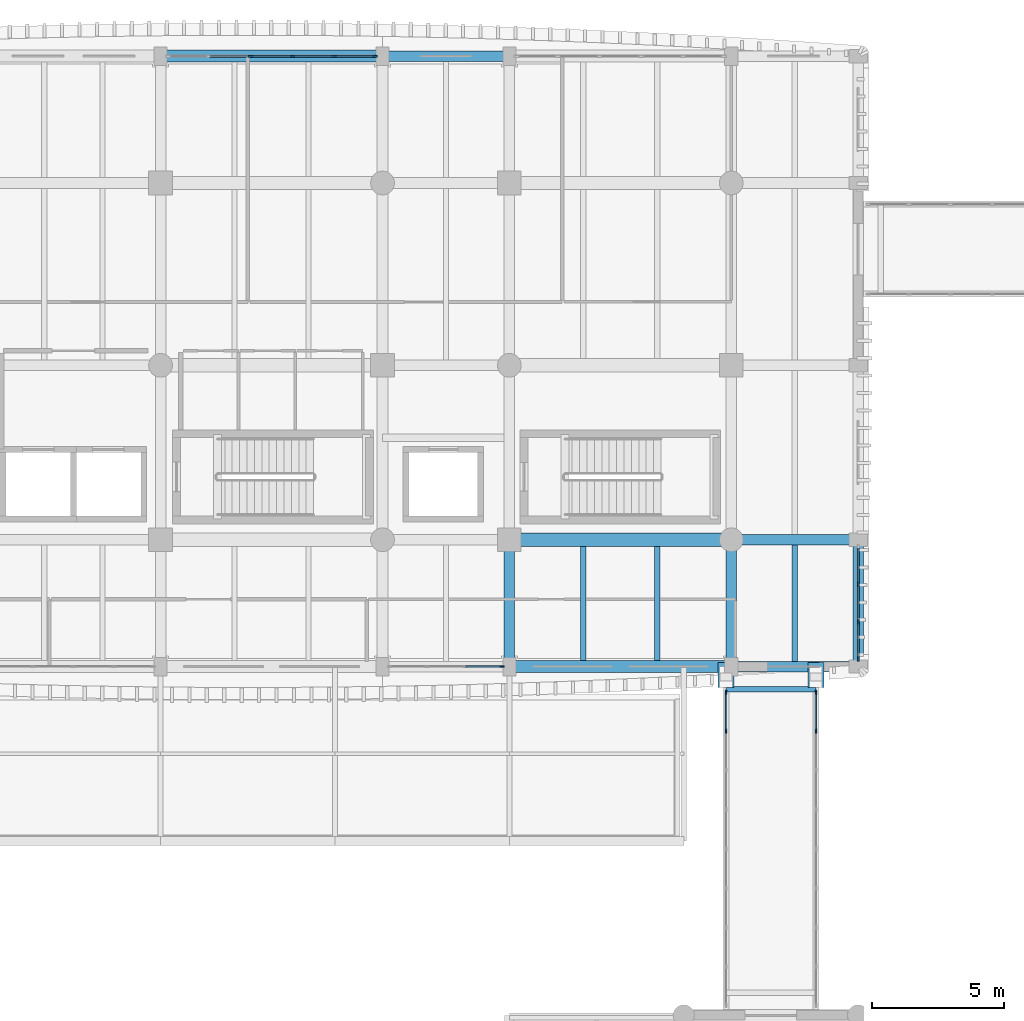
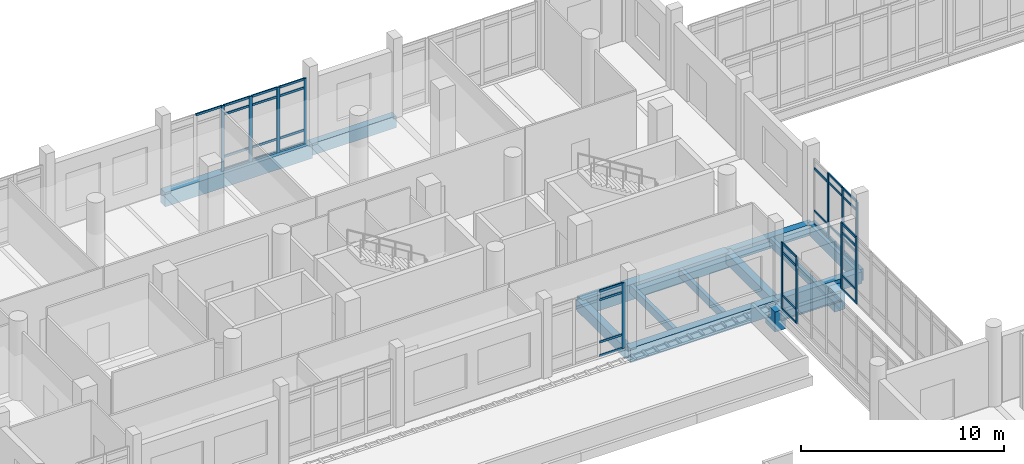
# One storey, part 33 of 125: 48 members, 15 beams, 5 elements without a shape of their own.
"""IFC4 building model written with IfcOpenShell, lengths in metres."""

from ifc_helpers import new_model, si_unit, direction, frame, origin, origin_2d, place, context, subcontext, project, spatial, rectangle, i_section, extrude, material, material_profile, profile_set, type_object, element, aggregate, save


model = new_model("IFC4")

# Units and contexts
model_context = context("Model", 3, precision=1e-05, world=origin(), true_north=direction((0.0, 1.0)))
body_context = subcontext(model_context, "Body", "Model", "MODEL_VIEW")
ifc_project = project(units=[si_unit("LENGTHUNIT", "METRE"), si_unit("AREAUNIT", "SQUARE_METRE"), si_unit("VOLUMEUNIT", "CUBIC_METRE"), si_unit("PLANEANGLEUNIT", "RADIAN"), si_unit("MASSUNIT", "GRAM", prefix="KILO")], contexts=[model_context])

# Site, building, storey
site_placement = place(None, origin())
site = spatial("IfcSite", under=ifc_project, at=site_placement, CompositionType="ELEMENT")
building_placement = place(site_placement, origin())
building = spatial("IfcBuilding", under=site, at=building_placement, Name="Dornvale Research Institute", CompositionType="ELEMENT")
storey_placement = place(building_placement, frame((0.0, 0.0, 5.39990234375)))
storey = spatial("IfcBuildingStorey", under=building, at=storey_placement, Name="L01", CompositionType="ELEMENT", Elevation=5.39990234375)

# Beams
ifc_material_1 = material(Name="Concrete f'c 45 MPa (C35/45)", Category="concrete")
ifc_material_profile_1 = material_profile(ifc_material_1, rectangle(XDim=0.39990234375, YDim=0.64990234375, at=origin_2d()), Name="RC 400x650")
ifc_profile_set_1 = profile_set([ifc_material_profile_1], Name="Concrete f'c 45 MPa (C35/45)")
beam_type_1 = type_object("IfcBeamType", Name="Beam_RC400x650_Floor", PredefinedType="BEAM", material=ifc_profile_set_1)
for number, where, z_axis, x_axis, name in (
    (1, (41.39990234375, 103.800048828125, -0.324951171875), (1.0, 0.0, 0.0), (0.0, 1.0, 0.0), "L01 primary girder #300"),
    (2, (33.0, 99.0, -0.324951171875), (0.0, 1.0, 0.0), (-1.0, 0.0, 0.0), "L01 transverse girder #342"),
    (3, (41.39990234375, 99.0, -0.324951171875), (0.0, 1.0, 0.0), (-1.0, 0.0, 0.0), "L01 transverse girder #346"),
):
    element("IfcBeam", number, at=place(storey_placement, frame(where, z_axis=z_axis, x_axis=x_axis)), inside=storey, type_object=beam_type_1, Name=name, PredefinedType="BEAM", context=body_context, shape_type="SweptSolid", body=[
        extrude(rectangle(XDim=0.39990234375, YDim=0.64990234375, at=origin_2d()), origin(), (0.0, 0.0, 1.0), 4.800048828125),
    ])
ifc_material_2 = material(Name="Concrete f'c 45 MPa (C35/45)", Category="concrete")
ifc_material_profile_2 = material_profile(ifc_material_2, rectangle(XDim=0.5, YDim=0.949951171875, at=origin_2d()), Name="RC 500x950")
ifc_profile_set_2 = profile_set([ifc_material_profile_2], Name="Concrete f'c 45 MPa (C35/45)")
beam_type_2 = type_object("IfcBeamType", Name="Beam_RC500x950_Girder", PredefinedType="BEAM", material=ifc_profile_set_2)
beam_1_placement = place(storey_placement, frame((33.0, 103.800048828125, -0.474853515625), z_axis=(1.0, 0.0, 0.0), x_axis=(0.0, 1.0, 0.0)))
element("IfcBeam", 4, at=beam_1_placement, inside=storey, type_object=beam_type_2, Name="L01 primary girder #299", PredefinedType="BEAM", context=body_context, shape_type="SweptSolid", body=[
    extrude(rectangle(XDim=0.5, YDim=0.949951171875, at=origin_2d()), origin(), (0.0, 0.0, 1.0), 8.39990234375),
])
ifc_material_3 = material(Name="Steel ASTM A992 Grade 50", Category="steel")
ifc_material_profile_3 = material_profile(ifc_material_3, i_section(OverallWidth=0.2099609375, OverallDepth=0.535888671875, WebThickness=0.010986328125, FlangeThickness=0.017333984375, at=origin_2d()), Name="W21X68")
ifc_profile_set_3 = profile_set([ifc_material_profile_3], Name="Steel ASTM A992 Grade 50")
beam_type_3 = type_object("IfcBeamType", Name="Beam_Steel_W21X68", PredefinedType="BEAM", material=ifc_profile_set_3)
beam_2_placement = place(storey_placement, frame((41.199951171875, 98.14990234375, -0.48779296875), z_axis=(1.0, 0.0, 0.0), x_axis=(0.0, 1.0, 0.0)))
element("IfcBeam", 5, at=beam_2_placement, inside=storey, type_object=beam_type_3, Name="L01 BR-3 north cross beam #2020", PredefinedType="BEAM", context=body_context, shape_type="SweptSolid", body=[
    extrude(i_section(OverallWidth=0.2099609375, OverallDepth=0.535888671875, WebThickness=0.010986328125, FlangeThickness=0.017333984375, at=origin_2d()), origin(), (0.0, 0.0, 1.0), 3.400146484375),
])
ifc_material_4 = material(Name="Concrete f'c 45 MPa (C35/45)", Category="concrete")
ifc_material_profile_4 = material_profile(ifc_material_4, rectangle(XDim=0.199951171875, YDim=0.485107421875, at=origin_2d()), Name="RC 200x485")
ifc_profile_set_4 = profile_set([ifc_material_profile_4], Name="Concrete f'c 45 MPa (C35/45)")
beam_type_4 = type_object("IfcBeamType", Name="Joist_RC200x485_Rib", PredefinedType="JOIST", material=ifc_profile_set_4)
for number, where, z_axis, x_axis, name in (
    (6, (35.800048828125, 99.22509765625, -0.242431640625), (0.0, 1.0, 0.0), (-1.0, 0.0, 0.0), "L01 laboratory waffle joist #166"),
    (7, (38.60009765625, 99.22509765625, -0.242431640625), (0.0, 1.0, 0.0), (-1.0, 0.0, 0.0), "L01 laboratory waffle joist #167"),
):
    element("IfcBeam", number, at=place(storey_placement, frame(where, z_axis=z_axis, x_axis=x_axis)), inside=storey, type_object=beam_type_4, Name=name, PredefinedType="JOIST", context=body_context, shape_type="SweptSolid", body=[
        extrude(rectangle(XDim=0.199951171875, YDim=0.485107421875, at=origin_2d()), origin(), (0.0, 0.0, 1.0), 4.324951171875),
    ])
beam_3_placement = place(storey_placement, frame((43.800048828125, 99.199951171875, -0.242431640625), z_axis=(0.0, 1.0, 0.0), x_axis=(-1.0, 0.0, 0.0)))
element("IfcBeam", 8, at=beam_3_placement, inside=storey, type_object=beam_type_4, Name="L01 laboratory waffle joist #172", PredefinedType="JOIST", context=body_context, shape_type="SweptSolid", body=[
    extrude(rectangle(XDim=0.199951171875, YDim=0.485107421875, at=origin_2d()), origin(), (0.0, 0.0, 1.0), 4.400146484375),
])

# Curtain wall, members
ifc_material_5 = material(Name="Low-E Argon Double Insulating Glazing Unit", Category="glass")
curtain_wall_type_1 = type_object("IfcCurtainWallType", Name="UnitisedCurtainWall_V2_11900x4000", PredefinedType="USERDEFINED", material=ifc_material_5)
curtain_wall_1_placement = place(storey_placement, origin())
curtain_wall_1 = element("IfcCurtainWall", 9, at=curtain_wall_1_placement, inside=storey, type_object=curtain_wall_type_1, Name="L01 V2 unitised curtain wall CW-40 #207", ObjectType="UNITISED CURTAIN WALL", PredefinedType="USERDEFINED")
ifc_material_6 = material(Name="Anodized Aluminum AA 6063-T6 Thermally Broken Frame", Category="aluminium")
ifc_material_profile_5 = material_profile(ifc_material_6, rectangle(XDim=0.06494140625, YDim=0.1650390625, at=origin_2d()), Name="ALU MULLION 65x165")
ifc_profile_set_5 = profile_set([ifc_material_profile_5], Name="Anodized Aluminum AA 6063-T6 Thermally Broken Frame")
member_type_1 = type_object("IfcMemberType", Name="Mullion_Atrium_65x165", PredefinedType="MULLION", material=ifc_profile_set_5)
member_1_placement = place(storey_placement, frame((41.199951171875, 96.5625, 0.0), z_axis=(0.0, 0.0, 1.0), x_axis=(-1.0, 0.0, 0.0)))
member_1 = element("IfcMember", 10, at=member_1_placement, type_object=member_type_1, Name="CW-40 mullion 8", PredefinedType="MULLION", context=body_context, shape_type="SweptSolid", body=[
    extrude(rectangle(XDim=0.06494140625, YDim=0.1650390625, at=origin_2d()), origin(), (0.0, 0.0, 1.0), 4.0),
])
member_2_placement = place(storey_placement, frame((41.199951171875, 98.017578125, 0.0), z_axis=(0.0, 0.0, 1.0), x_axis=(-1.0, 0.0, 0.0)))
member_2 = element("IfcMember", 11, at=member_2_placement, type_object=member_type_1, Name="CW-40 mullion 9", PredefinedType="MULLION", context=body_context, shape_type="SweptSolid", body=[
    extrude(rectangle(XDim=0.06494140625, YDim=0.1650390625, at=origin_2d()), origin(), (0.0, 0.0, 1.0), 4.0),
])

curtain_wall_2_placement = place(storey_placement, origin())
curtain_wall_2 = element("IfcCurtainWall", 12, at=curtain_wall_2_placement, inside=storey, type_object=curtain_wall_type_1, Name="L01 V2 unitised curtain wall CW-40 #208", ObjectType="UNITISED CURTAIN WALL", PredefinedType="USERDEFINED")
member_3_placement = place(storey_placement, frame((44.60009765625, 98.017578125, 0.0), z_axis=(0.0, 0.0, 1.0), x_axis=(1.0, 0.0, 0.0)))
member_3 = element("IfcMember", 13, at=member_3_placement, type_object=member_type_1, Name="CW-40 mullion 1", PredefinedType="MULLION", context=body_context, shape_type="SweptSolid", body=[
    extrude(rectangle(XDim=0.06494140625, YDim=0.1650390625, at=origin_2d()), origin(), (0.0, 0.0, 1.0), 4.0),
])
member_4_placement = place(storey_placement, frame((44.60009765625, 96.5625, 0.0), z_axis=(0.0, 0.0, 1.0), x_axis=(1.0, 0.0, 0.0)))
member_4 = element("IfcMember", 14, at=member_4_placement, type_object=member_type_1, Name="CW-40 mullion 2", PredefinedType="MULLION", context=body_context, shape_type="SweptSolid", body=[
    extrude(rectangle(XDim=0.06494140625, YDim=0.1650390625, at=origin_2d()), origin(), (0.0, 0.0, 1.0), 4.0),
])

ifc_material_7 = material(Name="Low-E Argon Double Insulating Glazing Unit", Category="glass")
curtain_wall_type_2 = type_object("IfcCurtainWallType", Name="UnitisedCurtainWall_V5_7900x3950", PredefinedType="USERDEFINED", material=ifc_material_7)
curtain_wall_3_placement = place(storey_placement, origin())
curtain_wall_3 = element("IfcCurtainWall", 15, at=curtain_wall_3_placement, inside=storey, type_object=curtain_wall_type_2, Name="L01 V5 unitised curtain wall CW-24 #134", ObjectType="UNITISED CURTAIN WALL", PredefinedType="USERDEFINED")
ifc_material_8 = material(Name="Anodized Aluminum AA 6063-T6 Thermally Broken Frame", Category="aluminium")
ifc_material_profile_6 = material_profile(ifc_material_8, rectangle(XDim=0.06494140625, YDim=0.179931640625, at=origin_2d()), Name="ALU MULLION 65x180")
ifc_profile_set_6 = profile_set([ifc_material_profile_6], Name="Anodized Aluminum AA 6063-T6 Thermally Broken Frame")
member_type_2 = type_object("IfcMemberType", Name="Mullion_CW_65x180", PredefinedType="MULLION", material=ifc_profile_set_6)
member_5_placement = place(storey_placement, frame((23.2099609375, 122.10009765625, 0.0), z_axis=(0.0, 0.0, 1.0), x_axis=(0.0, 1.0, 0.0)))
member_5 = element("IfcMember", 16, at=member_5_placement, type_object=member_type_2, Name="CW-24 mullion 3", PredefinedType="MULLION", context=body_context, shape_type="SweptSolid", body=[
    extrude(rectangle(XDim=0.06494140625, YDim=0.179931640625, at=origin_2d()), origin(), (0.0, 0.0, 1.0), 3.9501953125),
])
member_6_placement = place(storey_placement, frame((24.7900390625, 122.10009765625, 0.0), z_axis=(0.0, 0.0, 1.0), x_axis=(0.0, 1.0, 0.0)))
member_6 = element("IfcMember", 17, at=member_6_placement, type_object=member_type_2, Name="CW-24 mullion 4", PredefinedType="MULLION", context=body_context, shape_type="SweptSolid", body=[
    extrude(rectangle(XDim=0.06494140625, YDim=0.179931640625, at=origin_2d()), origin(), (0.0, 0.0, 1.0), 3.9501953125),
])
member_7_placement = place(storey_placement, frame((26.3701171875, 122.10009765625, 0.0), z_axis=(0.0, 0.0, 1.0), x_axis=(0.0, 1.0, 0.0)))
member_7 = element("IfcMember", 18, at=member_7_placement, type_object=member_type_2, Name="CW-24 mullion 5", PredefinedType="MULLION", context=body_context, shape_type="SweptSolid", body=[
    extrude(rectangle(XDim=0.06494140625, YDim=0.179931640625, at=origin_2d()), origin(), (0.0, 0.0, 1.0), 3.9501953125),
])
member_8_placement = place(storey_placement, frame((27.91748046875, 122.10009765625, 0.0), z_axis=(0.0, 0.0, 1.0), x_axis=(0.0, 1.0, 0.0)))
member_8 = element("IfcMember", 19, at=member_8_placement, type_object=member_type_2, Name="CW-24 mullion 6", PredefinedType="MULLION", context=body_context, shape_type="SweptSolid", body=[
    extrude(rectangle(XDim=0.06494140625, YDim=0.179931640625, at=origin_2d()), origin(), (0.0, 0.0, 1.0), 3.9501953125),
])

ifc_material_9 = material(Name="Low-E Argon Double Insulating Glazing Unit", Category="glass")
curtain_wall_type_3 = type_object("IfcCurtainWallType", Name="UnitisedCurtainWall_V5_4300x3950", PredefinedType="USERDEFINED", material=ifc_material_9)
curtain_wall_4_placement = place(storey_placement, origin())
curtain_wall_4 = element("IfcCurtainWall", 20, at=curtain_wall_4_placement, inside=storey, type_object=curtain_wall_type_3, Name="L01 V5 unitised curtain wall CW-25 #136", ObjectType="UNITISED CURTAIN WALL", PredefinedType="USERDEFINED")
member_9_placement = place(storey_placement, frame((46.199951171875, 102.11669921875, 0.0), z_axis=(0.0, 0.0, 1.0), x_axis=(1.0, 0.0, 0.0)))
member_9 = element("IfcMember", 21, at=member_9_placement, type_object=member_type_2, Name="CW-25 mullion 2", PredefinedType="MULLION", context=body_context, shape_type="SweptSolid", body=[
    extrude(rectangle(XDim=0.06494140625, YDim=0.179931640625, at=origin_2d()), origin(), (0.0, 0.0, 1.0), 3.9501953125),
])
member_10_placement = place(storey_placement, frame((46.199951171875, 100.683349609375, 0.0), z_axis=(0.0, 0.0, 1.0), x_axis=(1.0, 0.0, 0.0)))
member_10 = element("IfcMember", 22, at=member_10_placement, type_object=member_type_2, Name="CW-25 mullion 3", PredefinedType="MULLION", context=body_context, shape_type="SweptSolid", body=[
    extrude(rectangle(XDim=0.06494140625, YDim=0.179931640625, at=origin_2d()), origin(), (0.0, 0.0, 1.0), 3.9501953125),
])
member_11_placement = place(storey_placement, frame((46.199951171875, 99.282470703125, 0.0), z_axis=(0.0, 0.0, 1.0), x_axis=(1.0, 0.0, 0.0)))
member_11 = element("IfcMember", 23, at=member_11_placement, type_object=member_type_2, Name="CW-25 mullion 4", PredefinedType="MULLION", context=body_context, shape_type="SweptSolid", body=[
    extrude(rectangle(XDim=0.06494140625, YDim=0.179931640625, at=origin_2d()), origin(), (0.0, 0.0, 1.0), 3.9501953125),
])

# Curtain wall, member
curtain_wall_5_placement = place(storey_placement, origin())
curtain_wall_5 = element("IfcCurtainWall", 24, at=curtain_wall_5_placement, inside=storey, type_object=curtain_wall_type_3, Name="L01 V5 unitised curtain wall CW-25 #137", ObjectType="UNITISED CURTAIN WALL", PredefinedType="USERDEFINED")
member_12_placement = place(storey_placement, frame((32.717529296875, 99.0, 0.0), z_axis=(0.0, 0.0, 1.0), x_axis=(0.0, -1.0, 0.0)))
member_12 = element("IfcMember", 25, at=member_12_placement, type_object=member_type_2, Name="CW-25 mullion 1", PredefinedType="MULLION", context=body_context, shape_type="SweptSolid", body=[
    extrude(rectangle(XDim=0.06494140625, YDim=0.179931640625, at=origin_2d()), origin(), (0.0, 0.0, 1.0), 3.9501953125),
])

# Beams
ifc_material_10 = material(Name="Concrete f'c 45 MPa (C35/45)", Category="concrete")
ifc_material_profile_7 = material_profile(ifc_material_10, rectangle(XDim=0.39990234375, YDim=0.699951171875, at=origin_2d()), Name="RC 400x700")
ifc_profile_set_7 = profile_set([ifc_material_profile_7], Name="Concrete f'c 45 MPa (C35/45)")
beam_type_5 = type_object("IfcBeamType", Name="Spandrel_RC400x700_Ext", PredefinedType="SPANDREL", material=ifc_profile_set_7)
for number, where, z_axis, x_axis, name in (
    (26, (41.39990234375, 99.0, -0.349853515625), (1.0, 0.0, 0.0), (0.0, 1.0, 0.0), "L01 perimeter spandrel #293"),
    (27, (28.199951171875, 122.10009765625, -0.349853515625), (1.0, 0.0, 0.0), (0.0, 1.0, 0.0), "L01 perimeter spandrel #319"),
    (28, (46.199951171875, 99.0, -0.349853515625), (0.0, 1.0, 0.0), (-1.0, 0.0, 0.0), "L01 perimeter spandrel #350"),
):
    element("IfcBeam", number, at=place(storey_placement, frame(where, z_axis=z_axis, x_axis=x_axis)), inside=storey, type_object=beam_type_5, Name=name, PredefinedType="SPANDREL", context=body_context, shape_type="SweptSolid", body=[
        extrude(rectangle(XDim=0.39990234375, YDim=0.699951171875, at=origin_2d()), origin(), (0.0, 0.0, 1.0), 4.800048828125),
    ])
ifc_material_11 = material(Name="Concrete f'c 45 MPa (C35/45)", Category="concrete")
ifc_material_profile_8 = material_profile(ifc_material_11, rectangle(XDim=0.449951171875, YDim=0.85009765625, at=origin_2d()), Name="RC 450x850")
ifc_profile_set_8 = profile_set([ifc_material_profile_8], Name="Concrete f'c 45 MPa (C35/45)")
beam_type_6 = type_object("IfcBeamType", Name="Spandrel_RC450x850_Ext", PredefinedType="SPANDREL", material=ifc_profile_set_8)
for number, where, z_axis, x_axis, name in (
    (29, (33.0, 99.0, -0.4248046875), (1.0, 0.0, 0.0), (0.0, 1.0, 0.0), "L01 perimeter spandrel #292"),
    (30, (19.800048828125, 122.10009765625, -0.4248046875), (1.0, 0.0, 0.0), (0.0, 1.0, 0.0), "L01 perimeter spandrel #318"),
):
    element("IfcBeam", number, at=place(storey_placement, frame(where, z_axis=z_axis, x_axis=x_axis)), inside=storey, type_object=beam_type_6, Name=name, PredefinedType="SPANDREL", context=body_context, shape_type="SweptSolid", body=[
        extrude(rectangle(XDim=0.449951171875, YDim=0.85009765625, at=origin_2d()), origin(), (0.0, 0.0, 1.0), 8.39990234375),
    ])
ifc_material_12 = material(Name="Concrete f'c 50 MPa (C40/50)", Category="concrete")
ifc_material_profile_9 = material_profile(ifc_material_12, rectangle(XDim=0.60009765625, YDim=1.199951171875, at=origin_2d()), Name="RC 600x1200")
ifc_profile_set_9 = profile_set([ifc_material_profile_9], Name="Concrete f'c 50 MPa (C40/50)")
beam_type_7 = type_object("IfcBeamType", Name="TBeam_RC600x1200_Tie", PredefinedType="T_BEAM", material=ifc_profile_set_9)
for number, where, z_axis, x_axis, name in (
    (31, (41.199951171875, 98.199951171875, -0.81982421875), (0.0, 1.0, 0.0), (-1.0, 0.0, 0.0), "L01 BR-3 800mm sliding corbel seat #2020"),
    (32, (44.60009765625, 98.199951171875, -0.81982421875), (0.0, 1.0, 0.0), (-1.0, 0.0, 0.0), "L01 BR-3 800mm sliding corbel seat #2020"),
):
    element("IfcBeam", number, at=place(storey_placement, frame(where, z_axis=z_axis, x_axis=x_axis)), inside=storey, type_object=beam_type_7, Name=name, PredefinedType="T_BEAM", context=body_context, shape_type="SweptSolid", body=[
        extrude(rectangle(XDim=0.60009765625, YDim=1.199951171875, at=origin_2d()), origin(), (0.0, 0.0, 1.0), 0.949951171875),
    ])

# Member
ifc_material_13 = material(Name="Anodized Aluminum AA 6063-T6 Thermally Broken Frame", Category="aluminium")
ifc_material_profile_10 = material_profile(ifc_material_13, rectangle(XDim=0.06494140625, YDim=0.135009765625, at=origin_2d()), Name="ALU TRANSOM 65x135")
ifc_profile_set_10 = profile_set([ifc_material_profile_10], Name="Anodized Aluminum AA 6063-T6 Thermally Broken Frame")
member_type_3 = type_object("IfcMemberType", Name="Transom_CW_65x135", PredefinedType="USERDEFINED", material=ifc_profile_set_10)
member_13_placement = place(storey_placement, frame((21.66259765625, 122.10009765625, 3.91748046875), z_axis=(1.0, 0.0, 0.0), x_axis=(0.0, 1.0, 0.0)))
member_13 = element("IfcMember", 33, at=member_13_placement, type_object=member_type_3, Name="CW-24 transom 2.4", ObjectType="TRANSOM", PredefinedType="USERDEFINED", context=body_context, shape_type="SweptSolid", body=[
    extrude(rectangle(XDim=0.06494140625, YDim=0.135009765625, at=origin_2d()), origin(), (0.0, 0.0, 1.0), 1.514892578125),
])

member_14_placement = place(storey_placement, frame((23.242431640625, 122.10009765625, 0.03271484375), z_axis=(1.0, 0.0, 0.0), x_axis=(0.0, 1.0, 0.0)))
member_14 = element("IfcMember", 34, at=member_14_placement, type_object=member_type_3, Name="CW-24 transom 3.1", ObjectType="TRANSOM", PredefinedType="USERDEFINED", context=body_context, shape_type="SweptSolid", body=[
    extrude(rectangle(XDim=0.06494140625, YDim=0.135009765625, at=origin_2d()), origin(), (0.0, 0.0, 1.0), 1.51513671875),
])

member_15_placement = place(storey_placement, frame((23.242431640625, 122.10009765625, 0.85009765625), z_axis=(1.0, 0.0, 0.0), x_axis=(0.0, 1.0, 0.0)))
member_15 = element("IfcMember", 35, at=member_15_placement, type_object=member_type_3, Name="CW-24 transom 3.2", ObjectType="TRANSOM", PredefinedType="USERDEFINED", context=body_context, shape_type="SweptSolid", body=[
    extrude(rectangle(XDim=0.06494140625, YDim=0.135009765625, at=origin_2d()), origin(), (0.0, 0.0, 1.0), 1.51513671875),
])

member_16_placement = place(storey_placement, frame((23.242431640625, 122.10009765625, 3.400146484375), z_axis=(1.0, 0.0, 0.0), x_axis=(0.0, 1.0, 0.0)))
member_16 = element("IfcMember", 36, at=member_16_placement, type_object=member_type_3, Name="CW-24 transom 3.3", ObjectType="TRANSOM", PredefinedType="USERDEFINED", context=body_context, shape_type="SweptSolid", body=[
    extrude(rectangle(XDim=0.06494140625, YDim=0.135009765625, at=origin_2d()), origin(), (0.0, 0.0, 1.0), 1.51513671875),
])

member_17_placement = place(storey_placement, frame((23.242431640625, 122.10009765625, 3.91748046875), z_axis=(1.0, 0.0, 0.0), x_axis=(0.0, 1.0, 0.0)))
member_17 = element("IfcMember", 37, at=member_17_placement, type_object=member_type_3, Name="CW-24 transom 3.4", ObjectType="TRANSOM", PredefinedType="USERDEFINED", context=body_context, shape_type="SweptSolid", body=[
    extrude(rectangle(XDim=0.06494140625, YDim=0.135009765625, at=origin_2d()), origin(), (0.0, 0.0, 1.0), 1.51513671875),
])

member_18_placement = place(storey_placement, frame((24.822509765625, 122.10009765625, 0.03271484375), z_axis=(1.0, 0.0, 0.0), x_axis=(0.0, 1.0, 0.0)))
member_18 = element("IfcMember", 38, at=member_18_placement, type_object=member_type_3, Name="CW-24 transom 4.1", ObjectType="TRANSOM", PredefinedType="USERDEFINED", context=body_context, shape_type="SweptSolid", body=[
    extrude(rectangle(XDim=0.06494140625, YDim=0.135009765625, at=origin_2d()), origin(), (0.0, 0.0, 1.0), 1.514892578125),
])

member_19_placement = place(storey_placement, frame((24.822509765625, 122.10009765625, 0.85009765625), z_axis=(1.0, 0.0, 0.0), x_axis=(0.0, 1.0, 0.0)))
member_19 = element("IfcMember", 39, at=member_19_placement, type_object=member_type_3, Name="CW-24 transom 4.2", ObjectType="TRANSOM", PredefinedType="USERDEFINED", context=body_context, shape_type="SweptSolid", body=[
    extrude(rectangle(XDim=0.06494140625, YDim=0.135009765625, at=origin_2d()), origin(), (0.0, 0.0, 1.0), 1.514892578125),
])

member_20_placement = place(storey_placement, frame((24.822509765625, 122.10009765625, 3.400146484375), z_axis=(1.0, 0.0, 0.0), x_axis=(0.0, 1.0, 0.0)))
member_20 = element("IfcMember", 40, at=member_20_placement, type_object=member_type_3, Name="CW-24 transom 4.3", ObjectType="TRANSOM", PredefinedType="USERDEFINED", context=body_context, shape_type="SweptSolid", body=[
    extrude(rectangle(XDim=0.06494140625, YDim=0.135009765625, at=origin_2d()), origin(), (0.0, 0.0, 1.0), 1.514892578125),
])

member_21_placement = place(storey_placement, frame((24.822509765625, 122.10009765625, 3.91748046875), z_axis=(1.0, 0.0, 0.0), x_axis=(0.0, 1.0, 0.0)))
member_21 = element("IfcMember", 41, at=member_21_placement, type_object=member_type_3, Name="CW-24 transom 4.4", ObjectType="TRANSOM", PredefinedType="USERDEFINED", context=body_context, shape_type="SweptSolid", body=[
    extrude(rectangle(XDim=0.06494140625, YDim=0.135009765625, at=origin_2d()), origin(), (0.0, 0.0, 1.0), 1.514892578125),
])

member_22_placement = place(storey_placement, frame((26.402587890625, 122.10009765625, 0.03271484375), z_axis=(1.0, 0.0, 0.0), x_axis=(0.0, 1.0, 0.0)))
member_22 = element("IfcMember", 42, at=member_22_placement, type_object=member_type_3, Name="CW-24 transom 5.1", ObjectType="TRANSOM", PredefinedType="USERDEFINED", context=body_context, shape_type="SweptSolid", body=[
    extrude(rectangle(XDim=0.06494140625, YDim=0.135009765625, at=origin_2d()), origin(), (0.0, 0.0, 1.0), 1.482421875),
])

member_23_placement = place(storey_placement, frame((26.402587890625, 122.10009765625, 0.85009765625), z_axis=(1.0, 0.0, 0.0), x_axis=(0.0, 1.0, 0.0)))
member_23 = element("IfcMember", 43, at=member_23_placement, type_object=member_type_3, Name="CW-24 transom 5.2", ObjectType="TRANSOM", PredefinedType="USERDEFINED", context=body_context, shape_type="SweptSolid", body=[
    extrude(rectangle(XDim=0.06494140625, YDim=0.135009765625, at=origin_2d()), origin(), (0.0, 0.0, 1.0), 1.482421875),
])

member_24_placement = place(storey_placement, frame((26.402587890625, 122.10009765625, 3.400146484375), z_axis=(1.0, 0.0, 0.0), x_axis=(0.0, 1.0, 0.0)))
member_24 = element("IfcMember", 44, at=member_24_placement, type_object=member_type_3, Name="CW-24 transom 5.3", ObjectType="TRANSOM", PredefinedType="USERDEFINED", context=body_context, shape_type="SweptSolid", body=[
    extrude(rectangle(XDim=0.06494140625, YDim=0.135009765625, at=origin_2d()), origin(), (0.0, 0.0, 1.0), 1.482421875),
])

member_25_placement = place(storey_placement, frame((26.402587890625, 122.10009765625, 3.91748046875), z_axis=(1.0, 0.0, 0.0), x_axis=(0.0, 1.0, 0.0)))
member_25 = element("IfcMember", 45, at=member_25_placement, type_object=member_type_3, Name="CW-24 transom 5.4", ObjectType="TRANSOM", PredefinedType="USERDEFINED", context=body_context, shape_type="SweptSolid", body=[
    extrude(rectangle(XDim=0.06494140625, YDim=0.135009765625, at=origin_2d()), origin(), (0.0, 0.0, 1.0), 1.482421875),
])

aggregate(curtain_wall_3, [member_5, member_6, member_7, member_8, member_13, member_14, member_15, member_16, member_17, member_18, member_19, member_20, member_21, member_22, member_23, member_24, member_25])

member_26_placement = place(storey_placement, frame((46.199951171875, 103.485107421875, 0.03271484375), z_axis=(0.0, -1.0, 0.0), x_axis=(1.0, 0.0, 0.0)))
member_26 = element("IfcMember", 46, at=member_26_placement, type_object=member_type_3, Name="CW-25 transom 1.1", ObjectType="TRANSOM", PredefinedType="USERDEFINED", context=body_context, shape_type="SweptSolid", body=[
    extrude(rectangle(XDim=0.06494140625, YDim=0.135009765625, at=origin_2d()), origin(), (0.0, 0.0, 1.0), 1.3359375),
])

member_27_placement = place(storey_placement, frame((46.199951171875, 103.485107421875, 0.85009765625), z_axis=(0.0, -1.0, 0.0), x_axis=(1.0, 0.0, 0.0)))
member_27 = element("IfcMember", 47, at=member_27_placement, type_object=member_type_3, Name="CW-25 transom 1.2", ObjectType="TRANSOM", PredefinedType="USERDEFINED", context=body_context, shape_type="SweptSolid", body=[
    extrude(rectangle(XDim=0.06494140625, YDim=0.135009765625, at=origin_2d()), origin(), (0.0, 0.0, 1.0), 1.3359375),
])

member_28_placement = place(storey_placement, frame((46.199951171875, 103.485107421875, 3.400146484375), z_axis=(0.0, -1.0, 0.0), x_axis=(1.0, 0.0, 0.0)))
member_28 = element("IfcMember", 48, at=member_28_placement, type_object=member_type_3, Name="CW-25 transom 1.3", ObjectType="TRANSOM", PredefinedType="USERDEFINED", context=body_context, shape_type="SweptSolid", body=[
    extrude(rectangle(XDim=0.06494140625, YDim=0.135009765625, at=origin_2d()), origin(), (0.0, 0.0, 1.0), 1.3359375),
])

member_29_placement = place(storey_placement, frame((46.199951171875, 102.084228515625, 0.03271484375), z_axis=(0.0, -1.0, 0.0), x_axis=(1.0, 0.0, 0.0)))
member_29 = element("IfcMember", 49, at=member_29_placement, type_object=member_type_3, Name="CW-25 transom 2.1", ObjectType="TRANSOM", PredefinedType="USERDEFINED", context=body_context, shape_type="SweptSolid", body=[
    extrude(rectangle(XDim=0.06494140625, YDim=0.135009765625, at=origin_2d()), origin(), (0.0, 0.0, 1.0), 1.368408203125),
])

member_30_placement = place(storey_placement, frame((46.199951171875, 102.084228515625, 0.85009765625), z_axis=(0.0, -1.0, 0.0), x_axis=(1.0, 0.0, 0.0)))
member_30 = element("IfcMember", 50, at=member_30_placement, type_object=member_type_3, Name="CW-25 transom 2.2", ObjectType="TRANSOM", PredefinedType="USERDEFINED", context=body_context, shape_type="SweptSolid", body=[
    extrude(rectangle(XDim=0.06494140625, YDim=0.135009765625, at=origin_2d()), origin(), (0.0, 0.0, 1.0), 1.368408203125),
])

member_31_placement = place(storey_placement, frame((46.199951171875, 102.084228515625, 3.400146484375), z_axis=(0.0, -1.0, 0.0), x_axis=(1.0, 0.0, 0.0)))
member_31 = element("IfcMember", 51, at=member_31_placement, type_object=member_type_3, Name="CW-25 transom 2.3", ObjectType="TRANSOM", PredefinedType="USERDEFINED", context=body_context, shape_type="SweptSolid", body=[
    extrude(rectangle(XDim=0.06494140625, YDim=0.135009765625, at=origin_2d()), origin(), (0.0, 0.0, 1.0), 1.368408203125),
])

member_32_placement = place(storey_placement, frame((46.199951171875, 102.084228515625, 3.91748046875), z_axis=(0.0, -1.0, 0.0), x_axis=(1.0, 0.0, 0.0)))
member_32 = element("IfcMember", 52, at=member_32_placement, type_object=member_type_3, Name="CW-25 transom 2.4", ObjectType="TRANSOM", PredefinedType="USERDEFINED", context=body_context, shape_type="SweptSolid", body=[
    extrude(rectangle(XDim=0.06494140625, YDim=0.135009765625, at=origin_2d()), origin(), (0.0, 0.0, 1.0), 1.368408203125),
])

member_33_placement = place(storey_placement, frame((46.199951171875, 100.65087890625, 0.03271484375), z_axis=(0.0, -1.0, 0.0), x_axis=(1.0, 0.0, 0.0)))
member_33 = element("IfcMember", 53, at=member_33_placement, type_object=member_type_3, Name="CW-25 transom 3.1", ObjectType="TRANSOM", PredefinedType="USERDEFINED", context=body_context, shape_type="SweptSolid", body=[
    extrude(rectangle(XDim=0.06494140625, YDim=0.135009765625, at=origin_2d()), origin(), (0.0, 0.0, 1.0), 1.3359375),
])

member_34_placement = place(storey_placement, frame((46.199951171875, 100.65087890625, 0.85009765625), z_axis=(0.0, -1.0, 0.0), x_axis=(1.0, 0.0, 0.0)))
member_34 = element("IfcMember", 54, at=member_34_placement, type_object=member_type_3, Name="CW-25 transom 3.2", ObjectType="TRANSOM", PredefinedType="USERDEFINED", context=body_context, shape_type="SweptSolid", body=[
    extrude(rectangle(XDim=0.06494140625, YDim=0.135009765625, at=origin_2d()), origin(), (0.0, 0.0, 1.0), 1.3359375),
])

member_35_placement = place(storey_placement, frame((46.199951171875, 100.65087890625, 3.400146484375), z_axis=(0.0, -1.0, 0.0), x_axis=(1.0, 0.0, 0.0)))
member_35 = element("IfcMember", 55, at=member_35_placement, type_object=member_type_3, Name="CW-25 transom 3.3", ObjectType="TRANSOM", PredefinedType="USERDEFINED", context=body_context, shape_type="SweptSolid", body=[
    extrude(rectangle(XDim=0.06494140625, YDim=0.135009765625, at=origin_2d()), origin(), (0.0, 0.0, 1.0), 1.3359375),
])

member_36_placement = place(storey_placement, frame((46.199951171875, 100.65087890625, 3.91748046875), z_axis=(0.0, -1.0, 0.0), x_axis=(1.0, 0.0, 0.0)))
member_36 = element("IfcMember", 56, at=member_36_placement, type_object=member_type_3, Name="CW-25 transom 3.4", ObjectType="TRANSOM", PredefinedType="USERDEFINED", context=body_context, shape_type="SweptSolid", body=[
    extrude(rectangle(XDim=0.06494140625, YDim=0.135009765625, at=origin_2d()), origin(), (0.0, 0.0, 1.0), 1.3359375),
])

aggregate(curtain_wall_4, [member_9, member_10, member_11, member_26, member_27, member_28, member_29, member_30, member_31, member_32, member_33, member_34, member_35, member_36])

member_37_placement = place(storey_placement, frame((32.68505859375, 99.0, 0.03271484375), z_axis=(-1.0, 0.0, 0.0), x_axis=(0.0, -1.0, 0.0)))
member_37 = element("IfcMember", 57, at=member_37_placement, type_object=member_type_3, Name="CW-25 transom 1.1", ObjectType="TRANSOM", PredefinedType="USERDEFINED", context=body_context, shape_type="SweptSolid", body=[
    extrude(rectangle(XDim=0.06494140625, YDim=0.135009765625, at=origin_2d()), origin(), (0.0, 0.0, 1.0), 1.3359375),
])

member_38_placement = place(storey_placement, frame((32.68505859375, 99.0, 0.85009765625), z_axis=(-1.0, 0.0, 0.0), x_axis=(0.0, -1.0, 0.0)))
member_38 = element("IfcMember", 58, at=member_38_placement, type_object=member_type_3, Name="CW-25 transom 1.2", ObjectType="TRANSOM", PredefinedType="USERDEFINED", context=body_context, shape_type="SweptSolid", body=[
    extrude(rectangle(XDim=0.06494140625, YDim=0.135009765625, at=origin_2d()), origin(), (0.0, 0.0, 1.0), 1.3359375),
])

member_39_placement = place(storey_placement, frame((32.68505859375, 99.0, 3.400146484375), z_axis=(-1.0, 0.0, 0.0), x_axis=(0.0, -1.0, 0.0)))
member_39 = element("IfcMember", 59, at=member_39_placement, type_object=member_type_3, Name="CW-25 transom 1.3", ObjectType="TRANSOM", PredefinedType="USERDEFINED", context=body_context, shape_type="SweptSolid", body=[
    extrude(rectangle(XDim=0.06494140625, YDim=0.135009765625, at=origin_2d()), origin(), (0.0, 0.0, 1.0), 1.3359375),
])

member_40_placement = place(storey_placement, frame((32.68505859375, 99.0, 3.91748046875), z_axis=(-1.0, 0.0, 0.0), x_axis=(0.0, -1.0, 0.0)))
member_40 = element("IfcMember", 60, at=member_40_placement, type_object=member_type_3, Name="CW-25 transom 1.4", ObjectType="TRANSOM", PredefinedType="USERDEFINED", context=body_context, shape_type="SweptSolid", body=[
    extrude(rectangle(XDim=0.06494140625, YDim=0.135009765625, at=origin_2d()), origin(), (0.0, 0.0, 1.0), 1.3359375),
])

aggregate(curtain_wall_5, [member_12, member_37, member_38, member_39, member_40])

member_41_placement = place(storey_placement, frame((41.199951171875, 96.594970703125, 0.03271484375), z_axis=(0.0, 1.0, 0.0), x_axis=(-1.0, 0.0, 0.0)))
member_41 = element("IfcMember", 61, at=member_41_placement, type_object=member_type_3, Name="CW-40 transom 8.1", ObjectType="TRANSOM", PredefinedType="USERDEFINED", context=body_context, shape_type="SweptSolid", body=[
    extrude(rectangle(XDim=0.06494140625, YDim=0.135009765625, at=origin_2d()), origin(), (0.0, 0.0, 1.0), 1.39013671875),
])

member_42_placement = place(storey_placement, frame((41.199951171875, 96.594970703125, 0.85009765625), z_axis=(0.0, 1.0, 0.0), x_axis=(-1.0, 0.0, 0.0)))
member_42 = element("IfcMember", 62, at=member_42_placement, type_object=member_type_3, Name="CW-40 transom 8.2", ObjectType="TRANSOM", PredefinedType="USERDEFINED", context=body_context, shape_type="SweptSolid", body=[
    extrude(rectangle(XDim=0.06494140625, YDim=0.135009765625, at=origin_2d()), origin(), (0.0, 0.0, 1.0), 1.39013671875),
])

member_43_placement = place(storey_placement, frame((41.199951171875, 96.594970703125, 3.4501953125), z_axis=(0.0, 1.0, 0.0), x_axis=(-1.0, 0.0, 0.0)))
member_43 = element("IfcMember", 63, at=member_43_placement, type_object=member_type_3, Name="CW-40 transom 8.3", ObjectType="TRANSOM", PredefinedType="USERDEFINED", context=body_context, shape_type="SweptSolid", body=[
    extrude(rectangle(XDim=0.06494140625, YDim=0.135009765625, at=origin_2d()), origin(), (0.0, 0.0, 1.0), 1.39013671875),
])

member_44_placement = place(storey_placement, frame((41.199951171875, 96.594970703125, 3.967529296875), z_axis=(0.0, 1.0, 0.0), x_axis=(-1.0, 0.0, 0.0)))
member_44 = element("IfcMember", 64, at=member_44_placement, type_object=member_type_3, Name="CW-40 transom 8.4", ObjectType="TRANSOM", PredefinedType="USERDEFINED", context=body_context, shape_type="SweptSolid", body=[
    extrude(rectangle(XDim=0.06494140625, YDim=0.135009765625, at=origin_2d()), origin(), (0.0, 0.0, 1.0), 1.39013671875),
])

aggregate(curtain_wall_1, [member_1, member_2, member_41, member_42, member_43, member_44])

member_45_placement = place(storey_placement, frame((44.60009765625, 97.985107421875, 0.03271484375), z_axis=(0.0, -1.0, 0.0), x_axis=(1.0, 0.0, 0.0)))
member_45 = element("IfcMember", 65, at=member_45_placement, type_object=member_type_3, Name="CW-40 transom 1.1", ObjectType="TRANSOM", PredefinedType="USERDEFINED", context=body_context, shape_type="SweptSolid", body=[
    extrude(rectangle(XDim=0.06494140625, YDim=0.135009765625, at=origin_2d()), origin(), (0.0, 0.0, 1.0), 1.39013671875),
])

member_46_placement = place(storey_placement, frame((44.60009765625, 97.985107421875, 0.85009765625), z_axis=(0.0, -1.0, 0.0), x_axis=(1.0, 0.0, 0.0)))
member_46 = element("IfcMember", 66, at=member_46_placement, type_object=member_type_3, Name="CW-40 transom 1.2", ObjectType="TRANSOM", PredefinedType="USERDEFINED", context=body_context, shape_type="SweptSolid", body=[
    extrude(rectangle(XDim=0.06494140625, YDim=0.135009765625, at=origin_2d()), origin(), (0.0, 0.0, 1.0), 1.39013671875),
])

member_47_placement = place(storey_placement, frame((44.60009765625, 97.985107421875, 3.4501953125), z_axis=(0.0, -1.0, 0.0), x_axis=(1.0, 0.0, 0.0)))
member_47 = element("IfcMember", 67, at=member_47_placement, type_object=member_type_3, Name="CW-40 transom 1.3", ObjectType="TRANSOM", PredefinedType="USERDEFINED", context=body_context, shape_type="SweptSolid", body=[
    extrude(rectangle(XDim=0.06494140625, YDim=0.135009765625, at=origin_2d()), origin(), (0.0, 0.0, 1.0), 1.39013671875),
])

member_48_placement = place(storey_placement, frame((44.60009765625, 97.985107421875, 3.967529296875), z_axis=(0.0, -1.0, 0.0), x_axis=(1.0, 0.0, 0.0)))
member_48 = element("IfcMember", 68, at=member_48_placement, type_object=member_type_3, Name="CW-40 transom 1.4", ObjectType="TRANSOM", PredefinedType="USERDEFINED", context=body_context, shape_type="SweptSolid", body=[
    extrude(rectangle(XDim=0.06494140625, YDim=0.135009765625, at=origin_2d()), origin(), (0.0, 0.0, 1.0), 1.39013671875),
])

aggregate(curtain_wall_2, [member_3, member_4, member_45, member_46, member_47, member_48])

save(model, "model.ifc")
